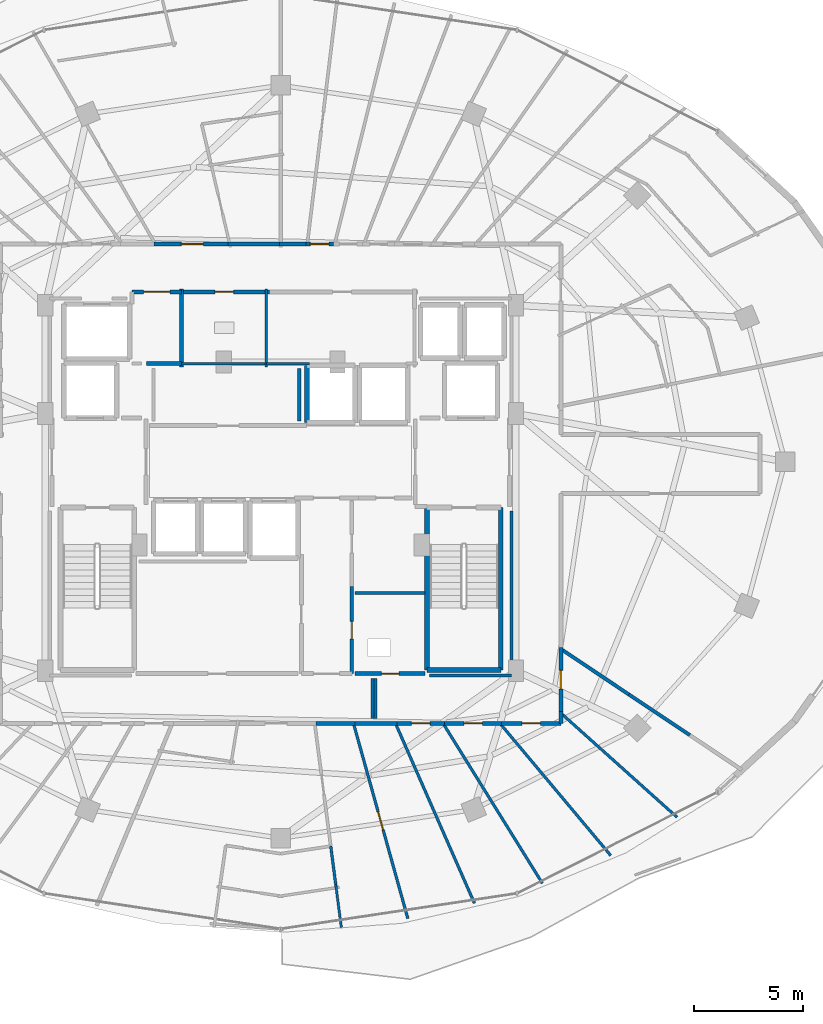
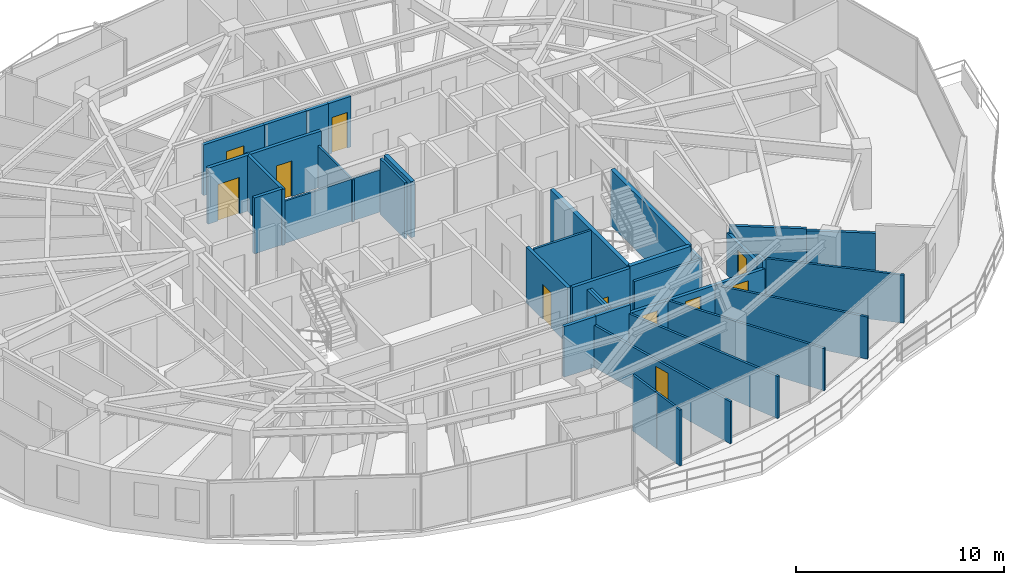
# One storey, part 27 of 34: 39 walls, 11 doors, 11 openings.
"""IFC4 building model written with IfcOpenShell, lengths in metres."""

from ifc_helpers import new_model, si_unit, direction, frame, frame_2d, origin, place, context, subcontext, project, spatial, rectangle, extrude, material, layer, layer_set, type_object, element, fill, save


model = new_model("IFC4")

# Units and contexts
model_context = context("Model", 3, precision=1e-05, world=origin(), true_north=direction((0.0, 1.0)))
body_context = subcontext(model_context, "Body", "Model", "MODEL_VIEW")
ifc_project = project(units=[si_unit("LENGTHUNIT", "METRE"), si_unit("AREAUNIT", "SQUARE_METRE"), si_unit("VOLUMEUNIT", "CUBIC_METRE"), si_unit("PLANEANGLEUNIT", "RADIAN"), si_unit("MASSUNIT", "GRAM", prefix="KILO")], contexts=[model_context])

# Site, building, storey
site_placement = place(None, origin())
site = spatial("IfcSite", under=ifc_project, at=site_placement, CompositionType="ELEMENT")
building_placement = place(site_placement, origin())
building = spatial("IfcBuilding", under=site, at=building_placement, Name="Vorneva Point Tower", CompositionType="ELEMENT")
storey_placement = place(building_placement, frame((0.0, 0.0, 210.75)))
storey = spatial("IfcBuildingStorey", under=building, at=storey_placement, Name="L57", CompositionType="ELEMENT", Elevation=210.75)

# Walls
ifc_material_1 = material(Name="Fire-rated acoustic gypsum stud partition", Category="gypsum")
ifc_layer_1 = layer(ifc_material_1, 0.110107421875)
ifc_layer_set_1 = layer_set([ifc_layer_1], Name="Fire-rated acoustic gypsum stud partition")
wall_type_1 = type_object("IfcWallType", Name="WL-PART-110", PredefinedType="PARTITIONING", material=ifc_layer_set_1)
wall_1_placement = place(storey_placement, frame((37.35009765625, 30.340087890625, 0.0), z_axis=(0.0, 0.0, 1.0), x_axis=(0.0, 1.0, 0.0)))
element("IfcWall", 1, at=wall_1_placement, inside=storey, type_object=wall_type_1, Name="L57 Interior Partition 019", PredefinedType="PARTITIONING", context=body_context, shape_type="SweptSolid", body=[
    extrude(rectangle(XDim=3.559814453125, YDim=0.110107421875, at=frame_2d((1.77978515625, 0.0))), origin(), (0.0, 0.0, 1.0), 2.48193359375),
])
wall_2_placement = place(storey_placement, frame((33.360107421875, 30.47998046875, 0.0), z_axis=(0.0, 0.0, 1.0), x_axis=(1.0, 0.0, 0.0)))
element("IfcWall", 2, at=wall_2_placement, inside=storey, type_object=wall_type_1, Name="L57 Interior Partition 020", PredefinedType="PARTITIONING", context=body_context, shape_type="SweptSolid", body=[
    extrude(rectangle(XDim=4.114990234375, YDim=0.110107421875, at=frame_2d((2.0576171875, 0.0))), origin(), (0.0, 0.0, 1.0), 2.48193359375),
])
wall_3_placement = place(storey_placement, frame((37.364990234375, 30.47998046875, 0.0), z_axis=(0.0, 0.0, 1.0), x_axis=(1.0, 0.0, 0.0)))
element("IfcWall", 3, at=wall_3_placement, inside=storey, type_object=wall_type_1, Name="L57 Interior Partition 022", PredefinedType="PARTITIONING", context=body_context, shape_type="SweptSolid", body=[
    extrude(rectangle(XDim=1.955078125, YDim=0.110107421875, at=frame_2d((0.9775390625, 0.0))), origin(), (0.0, 0.0, 1.0), 2.48193359375),
])
wall_4_placement = place(storey_placement, frame((40.774169921875, 4.71728515625, 0.0), z_axis=(0.0, 0.0, 1.0), x_axis=(-0.129233545587, 0.991614184396, 0.0)))
element("IfcWall", 4, at=wall_4_placement, inside=storey, type_object=wall_type_1, Name="L57 Interior Partition 155", PredefinedType="PARTITIONING", context=body_context, shape_type="SweptSolid", body=[
    extrude(rectangle(XDim=1.97607421875, YDim=0.110107421875, at=frame_2d((0.988037109375, 0.0))), origin(), (0.0, 0.0, 1.0), 3.2900390625),
])
ifc_layer_2 = layer(ifc_material_1, 0.125)
ifc_layer_set_2 = layer_set([ifc_layer_2], Name="Fire-rated acoustic gypsum stud partition")
wall_type_2 = type_object("IfcWallType", Name="WL-PART-125", PredefinedType="PARTITIONING", material=ifc_layer_set_2)
wall_5_placement = place(storey_placement, frame((44.60009765625, 20.0, 0.0), z_axis=(0.0, 0.0, 1.0), x_axis=(-1.0, 0.0, 0.0)))
element("IfcWall", 5, at=wall_5_placement, inside=storey, type_object=wall_type_2, Name="L57 Interior Partition 017", PredefinedType="PARTITIONING", context=body_context, shape_type="SweptSolid", body=[
    extrude(rectangle(XDim=3.2001953125, YDim=0.125, at=frame_2d((1.60009765625, 0.0))), origin(), (0.0, 0.0, 1.0), 3.2900390625),
])
wall_6_placement = place(storey_placement, frame((40.2890625, 8.43603515625, 0.0), z_axis=(0.0, 0.0, 1.0), x_axis=(0.12959001093, -0.991567662375, 0.0)))
element("IfcWall", 6, at=wall_6_placement, inside=storey, type_object=wall_type_2, Name="L57 Interior Partition 151", PredefinedType="PARTITIONING", context=body_context, shape_type="SweptSolid", body=[
    extrude(rectangle(XDim=1.9140625, YDim=0.125, at=frame_2d((0.95703125, 0.0))), origin(), (0.0, 0.0, 1.0), 3.2900390625),
])

# Wall, opening, door
wall_7_placement = place(storey_placement, frame((43.81201171875, 5.131103515625, 0.0), z_axis=(0.0, 0.0, 1.0), x_axis=(-0.268310216589, 0.963332563383, 0.0)))
wall_7 = element("IfcWall", 7, at=wall_7_placement, inside=storey, type_object=wall_type_2, Name="L57 Interior Partition 156", PredefinedType="PARTITIONING", context=body_context, shape_type="SweptSolid", body=[
    extrude(rectangle(XDim=9.258544921875, YDim=0.125, at=frame_2d((4.62939453125, 0.0))), origin(), (0.0, 0.0, 1.0), 2.48193359375),
])
opening_1_placement = place(wall_7_placement, frame((4.2041015625, 0.0, 0.0)))
opening_1 = element("IfcOpeningElement", 8, at=opening_1_placement, cuts=wall_7, Name="Opening ID-02", PredefinedType="OPENING", context=body_context, shape_type="SweptSolid", body=[
    extrude(rectangle(XDim=0.85009765625, YDim=2.10009765625, at=frame_2d((0.425048828125, 1.050048828125))), frame((0.0, 0.077392578125, 0.0), z_axis=(0.0, -1.0, 0.0), x_axis=(1.0, 0.0, 0.0)), (0.0, 0.0, 1.0), 0.15478515625),
])
ifc_material_2 = material(Name="Engineered oak fire-rated door leaf", Category="wood")
door_type_1 = type_object("IfcDoorType", Name="DR-BATH-850", OperationType="NOTDEFINED", PredefinedType="DOOR", material=ifc_material_2)
door_1_placement = place(opening_1_placement, origin())
door_1 = element("IfcDoor", 9, at=door_1_placement, inside=storey, type_object=door_type_1, Name="L57 Access Door Master Bedroom L57-04.1", OperationType="SINGLE_SWING_RIGHT", OverallHeight=2.10009765625, OverallWidth=0.85009765625, PredefinedType="DOOR", context=body_context, shape_type="SweptSolid", body=[
    extrude(rectangle(XDim=0.85009765625, YDim=2.10009765625, at=frame_2d((0.425048828125, 1.050048828125))), frame((0.0, 0.02490234375, 0.0), z_axis=(0.0, -1.0, 0.0), x_axis=(1.0, 0.0, 0.0)), (0.0, 0.0, 1.0), 0.050048828125),
])
fill(opening_1, door_1)

# Walls
wall_8_placement = place(storey_placement, frame((46.85400390625, 5.8291015625, 0.0), z_axis=(0.0, 0.0, 1.0), x_axis=(-0.401869944724, 0.915696755224, 0.0)))
element("IfcWall", 10, at=wall_8_placement, inside=storey, type_object=wall_type_2, Name="L57 Interior Partition 157", PredefinedType="PARTITIONING", context=body_context, shape_type="SweptSolid", body=[
    extrude(rectangle(XDim=8.977783203125, YDim=0.125, at=frame_2d((4.48876953125, 0.0))), origin(), (0.0, 0.0, 1.0), 2.48193359375),
])
wall_9_placement = place(storey_placement, frame((49.95703125, 6.742919921875, 0.0), z_axis=(0.0, 0.0, 1.0), x_axis=(-0.527501342892, 0.849554196769, 0.0)))
element("IfcWall", 11, at=wall_9_placement, inside=storey, type_object=wall_type_2, Name="L57 Interior Partition 158", PredefinedType="PARTITIONING", context=body_context, shape_type="SweptSolid", body=[
    extrude(rectangle(XDim=8.60107421875, YDim=0.125, at=frame_2d((4.300537109375, 0.0))), origin(), (0.0, 0.0, 1.0), 2.48193359375),
])
wall_10_placement = place(storey_placement, frame((53.0830078125, 8.009033203125, 0.0), z_axis=(0.0, 0.0, 1.0), x_axis=(-0.642484403916, 0.766298760749, 0.0)))
element("IfcWall", 12, at=wall_10_placement, inside=storey, type_object=wall_type_2, Name="L57 Interior Partition 159", PredefinedType="PARTITIONING", context=body_context, shape_type="SweptSolid", body=[
    extrude(rectangle(XDim=7.88330078125, YDim=0.125, at=frame_2d((3.941650390625, 0.0))), origin(), (0.0, 0.0, 1.0), 2.48193359375),
])
wall_11_placement = place(storey_placement, frame((56.111083984375, 9.757080078125, 0.0), z_axis=(0.0, 0.0, 1.0), x_axis=(-0.744477346253, 0.667647722168, 0.0)))
element("IfcWall", 13, at=wall_11_placement, inside=storey, type_object=wall_type_2, Name="L57 Interior Partition 160", PredefinedType="PARTITIONING", context=body_context, shape_type="SweptSolid", body=[
    extrude(rectangle(XDim=7.1337890625, YDim=0.125, at=frame_2d((3.56689453125, 0.0))), origin(), (0.0, 0.0, 1.0), 2.823974609375),
])
ifc_layer_3 = layer(ifc_material_1, 0.139892578125)
ifc_layer_set_3 = layer_set([ifc_layer_3], Name="Fire-rated acoustic gypsum stud partition")
wall_type_3 = type_object("IfcWallType", Name="WL-PART-140", PredefinedType="PARTITIONING", material=ifc_layer_set_3)
wall_12_placement = place(storey_placement, frame((38.85009765625, 27.8701171875, 0.0), z_axis=(0.0, 0.0, 1.0), x_axis=(0.0, 1.0, 0.0)))
element("IfcWall", 14, at=wall_12_placement, inside=storey, type_object=wall_type_3, Name="L57 Interior Closure Partition 171", PredefinedType="PARTITIONING", context=body_context, shape_type="SweptSolid", body=[
    extrude(rectangle(XDim=2.389892578125, YDim=0.139892578125, at=frame_2d((1.19482421875, 0.0))), origin(), (0.0, 0.0, 1.0), 3.2900390625),
])
wall_13_placement = place(storey_placement, frame((44.804931640625, 16.239990234375, 0.0), z_axis=(0.0, 0.0, 1.0), x_axis=(1.0, 0.0, 0.0)))
element("IfcWall", 15, at=wall_13_placement, inside=storey, type_object=wall_type_3, Name="L57 Interior Closure Partition 172", PredefinedType="PARTITIONING", context=body_context, shape_type="SweptSolid", body=[
    extrude(rectangle(XDim=3.7451171875, YDim=0.139892578125, at=frame_2d((1.87255859375, 0.0))), origin(), (0.0, 0.0, 1.0), 2.48193359375),
])
wall_14_placement = place(storey_placement, frame((48.550048828125, 16.239990234375, 0.0), z_axis=(0.0, 0.0, 1.0), x_axis=(0.0, 1.0, 0.0)))
element("IfcWall", 16, at=wall_14_placement, inside=storey, type_object=wall_type_3, Name="L57 Interior Closure Partition 173", PredefinedType="PARTITIONING", context=body_context, shape_type="SweptSolid", body=[
    extrude(rectangle(XDim=7.513916015625, YDim=0.139892578125, at=frame_2d((3.7568359375, 0.0))), origin(), (0.0, 0.0, 1.0), 2.48193359375),
])
for number, where, z_axis, x_axis, name in (
    (17, (42.199951171875, 16.10009765625, 0.0), (0.0, 0.0, 1.0), (0.0, -1.0, 0.0), "L57 Interior Closure Partition 181"),
    (18, (42.340087890625, 14.27001953125, 0.0), (0.0, 0.0, 1.0), (0.0, 1.0, 0.0), "L57 Interior Closure Partition 182"),
):
    element("IfcWall", number, at=place(storey_placement, frame(where, z_axis=z_axis, x_axis=x_axis)), inside=storey, type_object=wall_type_3, Name=name, PredefinedType="PARTITIONING", context=body_context, shape_type="SweptSolid", body=[
        extrude(rectangle(XDim=1.830078125, YDim=0.139892578125, at=frame_2d((0.9150390625, 0.0))), origin(), (0.0, 0.0, 1.0), 2.97900390625),
    ])
ifc_layer_4 = layer(ifc_material_1, 0.159912109375)
ifc_layer_set_4 = layer_set([ifc_layer_4], Name="Fire-rated acoustic gypsum stud partition")
wall_type_4 = type_object("IfcWallType", Name="WL-PART-160", PredefinedType="PARTITIONING", material=ifc_layer_set_4)
wall_15_placement = place(storey_placement, frame((56.695068359375, 13.508056640625, 0.0), z_axis=(0.0, 0.0, 1.0), x_axis=(-0.831533913479, 0.55547398745, 0.0)))
element("IfcWall", 19, at=wall_15_placement, inside=storey, type_object=wall_type_4, Name="L57 Interior Partition 161", PredefinedType="PARTITIONING", context=body_context, shape_type="SweptSolid", body=[
    extrude(rectangle(XDim=3.34814453125, YDim=0.159912109375, at=frame_2d((1.674072265625, 0.0))), origin(), (0.0, 0.0, 1.0), 2.823974609375),
])
wall_16_placement = place(storey_placement, frame((53.910888671875, 15.367919921875, 0.0), z_axis=(0.0, 0.0, 1.0), x_axis=(-0.83140728108, 0.55566350696, 0.0)))
element("IfcWall", 20, at=wall_16_placement, inside=storey, type_object=wall_type_4, Name="L57 Interior Partition 162", PredefinedType="PARTITIONING", context=body_context, shape_type="SweptSolid", body=[
    extrude(rectangle(XDim=3.74169921875, YDim=0.159912109375, at=frame_2d((1.870849609375, 0.0))), origin(), (0.0, 0.0, 1.0), 2.93603515625),
])
ifc_material_3 = material(Name="Autoclaved aerated concrete blockwork", Category="masonry")
ifc_layer_5 = layer(ifc_material_3, 0.179931640625)
ifc_layer_set_5 = layer_set([ifc_layer_5], Name="Autoclaved aerated concrete blockwork")
wall_type_5 = type_object("IfcWallType", Name="WL-PART-180", PredefinedType="PARTITIONING", material=ifc_layer_set_5)
wall_17_placement = place(storey_placement, frame((33.469970703125, 30.340087890625, 0.0), z_axis=(0.0, 0.0, 1.0), x_axis=(0.0, 1.0, 0.0)))
element("IfcWall", 21, at=wall_17_placement, inside=storey, type_object=wall_type_5, Name="L57 Interior Partition 006", PredefinedType="PARTITIONING", context=body_context, shape_type="SweptSolid", body=[
    extrude(rectangle(XDim=3.559814453125, YDim=0.179931640625, at=frame_2d((1.77978515625, 0.0))), origin(), (0.0, 0.0, 1.0), 3.2900390625),
])
wall_18_placement = place(storey_placement, frame((31.8701171875, 30.47998046875, 0.0), z_axis=(0.0, 0.0, 1.0), x_axis=(1.0, 0.0, 0.0)))
element("IfcWall", 22, at=wall_18_placement, inside=storey, type_object=wall_type_5, Name="L57 Interior Partition 007", PredefinedType="PARTITIONING", context=body_context, shape_type="SweptSolid", body=[
    extrude(rectangle(XDim=1.599853515625, YDim=0.179931640625, at=frame_2d((0.7998046875, 0.0))), origin(), (0.0, 0.0, 1.0), 3.2900390625),
])

# Wall, opening, door
wall_19_placement = place(storey_placement, frame((33.469970703125, 33.760009765625, 0.0), z_axis=(0.0, 0.0, 1.0), x_axis=(-1.0, 0.0, 0.0)))
wall_19 = element("IfcWall", 23, at=wall_19_placement, inside=storey, type_object=wall_type_5, Name="L57 Interior Partition 008", PredefinedType="PARTITIONING", context=body_context, shape_type="SweptSolid", body=[
    extrude(rectangle(XDim=2.27001953125, YDim=0.179931640625, at=frame_2d((1.135009765625, 0.0))), origin(), (0.0, 0.0, 1.0), 3.2900390625),
])
opening_2_placement = place(wall_19_placement, frame((0.534912109375, 0.0, 0.0)))
opening_2 = element("IfcOpeningElement", 24, at=opening_2_placement, cuts=wall_19, Name="Opening FD-02", PredefinedType="OPENING", context=body_context, shape_type="SweptSolid", body=[
    extrude(rectangle(XDim=1.199951171875, YDim=2.14990234375, at=frame_2d((0.60009765625, 1.074951171875))), frame((0.0, 0.10498046875, 0.0), z_axis=(0.0, -1.0, 0.0), x_axis=(1.0, 0.0, 0.0)), (0.0, 0.0, 1.0), 0.209716796875),
])
ifc_material_4 = material(Name="Fire-rated powder-coated steel", Category="steel")
door_type_2 = type_object("IfcDoorType", Name="DR-FFL-1200", OperationType="NOTDEFINED", PredefinedType="DOOR", material=ifc_material_4)
door_2_placement = place(opening_2_placement, origin())
door_2 = element("IfcDoor", 25, at=door_2_placement, inside=storey, type_object=door_type_2, Name="L57 Door Service Lift Lobby / L57 Circulation Corridor", OperationType="SINGLE_SWING_LEFT", OverallHeight=2.14990234375, OverallWidth=1.199951171875, PredefinedType="DOOR", context=body_context, shape_type="SweptSolid", body=[
    extrude(rectangle(XDim=1.199951171875, YDim=2.14990234375, at=frame_2d((0.60009765625, 1.074951171875))), frame((0.0, 0.02490234375, 0.0), z_axis=(0.0, -1.0, 0.0), x_axis=(1.0, 0.0, 0.0)), (0.0, 0.0, 1.0), 0.050048828125),
])
fill(opening_2, door_2)

wall_20_placement = place(storey_placement, frame((41.25, 16.320068359375, 0.0), z_axis=(0.0, 0.0, 1.0), x_axis=(0.0, 1.0, 0.0)))
wall_20 = element("IfcWall", 26, at=wall_20_placement, inside=storey, type_object=wall_type_5, Name="L57 Interior Partition 013", PredefinedType="PARTITIONING", context=body_context, shape_type="SweptSolid", body=[
    extrude(rectangle(XDim=3.98486328125, YDim=0.179931640625, at=frame_2d((1.992431640625, 0.0))), origin(), (0.0, 0.0, 1.0), 3.2900390625),
])
opening_3_placement = place(wall_20_placement, frame((1.592529296875, 0.0, 0.0)))
opening_3 = element("IfcOpeningElement", 27, at=opening_3_placement, cuts=wall_20, Name="Opening RD-01", PredefinedType="OPENING", context=body_context, shape_type="SweptSolid", body=[
    extrude(rectangle(XDim=0.800048828125, YDim=2.050048828125, at=frame_2d((0.39990234375, 1.02490234375))), frame((0.0, 0.10498046875, 0.0), z_axis=(0.0, -1.0, 0.0), x_axis=(1.0, 0.0, 0.0)), (0.0, 0.0, 1.0), 0.209716796875),
])
door_type_3 = type_object("IfcDoorType", Name="DR-RSR-800", OperationType="SINGLE_SWING_LEFT", PredefinedType="DOOR", material=ifc_material_4)
door_3_placement = place(opening_3_placement, origin())
door_3 = element("IfcDoor", 28, at=door_3_placement, inside=storey, type_object=door_type_3, Name="L57 Door Core Service Lobby / Electrical Riser", OperationType="SINGLE_SWING_LEFT", OverallHeight=2.050048828125, OverallWidth=0.800048828125, PredefinedType="DOOR", context=body_context, shape_type="SweptSolid", body=[
    extrude(rectangle(XDim=0.800048828125, YDim=2.050048828125, at=frame_2d((0.39990234375, 1.02490234375))), frame((0.0, 0.02490234375, 0.0), z_axis=(0.0, -1.0, 0.0), x_axis=(1.0, 0.0, 0.0)), (0.0, 0.0, 1.0), 0.050048828125),
])
fill(opening_3, door_3)

wall_21_placement = place(storey_placement, frame((41.39990234375, 16.320068359375, 0.0), z_axis=(0.0, 0.0, 1.0), x_axis=(1.0, 0.0, 0.0)))
wall_21 = element("IfcWall", 29, at=wall_21_placement, inside=storey, type_object=wall_type_5, Name="L57 Interior Partition 018", PredefinedType="PARTITIONING", context=body_context, shape_type="SweptSolid", body=[
    extrude(rectangle(XDim=3.2001953125, YDim=0.179931640625, at=frame_2d((1.60009765625, 0.0))), origin(), (0.0, 0.0, 1.0), 3.2900390625),
])
opening_4_placement = place(wall_21_placement, frame((1.199951171875, 0.0, 0.0)))
opening_4 = element("IfcOpeningElement", 30, at=opening_4_placement, cuts=wall_21, Name="Opening RD-01", PredefinedType="OPENING", context=body_context, shape_type="SweptSolid", body=[
    extrude(rectangle(XDim=0.800048828125, YDim=2.050048828125, at=frame_2d((0.39990234375, 1.02490234375))), frame((0.0, 0.10498046875, 0.0), z_axis=(0.0, -1.0, 0.0), x_axis=(1.0, 0.0, 0.0)), (0.0, 0.0, 1.0), 0.209716796875),
])
door_4_placement = place(opening_4_placement, origin())
door_4 = element("IfcDoor", 31, at=door_4_placement, inside=storey, type_object=door_type_3, Name="L57 Door Electrical Riser / L57 Circulation Corridor", OperationType="SINGLE_SWING_LEFT", OverallHeight=2.050048828125, OverallWidth=0.800048828125, PredefinedType="DOOR", context=body_context, shape_type="SweptSolid", body=[
    extrude(rectangle(XDim=0.800048828125, YDim=2.050048828125, at=frame_2d((0.39990234375, 1.02490234375))), frame((0.0, 0.02490234375, 0.0), z_axis=(0.0, -1.0, 0.0), x_axis=(1.0, 0.0, 0.0)), (0.0, 0.0, 1.0), 0.050048828125),
])
fill(opening_4, door_4)

wall_22_placement = place(storey_placement, frame((37.489990234375, 33.760009765625, 0.0), z_axis=(0.0, 0.0, 1.0), x_axis=(-1.0, 0.0, 0.0)))
wall_22 = element("IfcWall", 32, at=wall_22_placement, inside=storey, type_object=wall_type_5, Name="L57 Interior Partition 021", PredefinedType="PARTITIONING", context=body_context, shape_type="SweptSolid", body=[
    extrude(rectangle(XDim=4.1298828125, YDim=0.179931640625, at=frame_2d((2.06494140625, 0.0))), origin(), (0.0, 0.0, 1.0), 3.2900390625),
])
opening_5_placement = place(wall_22_placement, frame((1.639892578125, 0.0, 0.0)))
opening_5 = element("IfcOpeningElement", 33, at=opening_5_placement, cuts=wall_22, Name="Opening ID-02", PredefinedType="OPENING", context=body_context, shape_type="SweptSolid", body=[
    extrude(rectangle(XDim=0.85009765625, YDim=2.10009765625, at=frame_2d((0.425048828125, 1.050048828125))), frame((0.0, 0.10498046875, 0.0), z_axis=(0.0, -1.0, 0.0), x_axis=(1.0, 0.0, 0.0)), (0.0, 0.0, 1.0), 0.209716796875),
])
door_5_placement = place(opening_5_placement, origin())
door_5 = element("IfcDoor", 34, at=door_5_placement, inside=storey, type_object=door_type_1, Name="L57 Door Accessible WC / L57 Circulation Corridor", OperationType="SINGLE_SWING_RIGHT", OverallHeight=2.10009765625, OverallWidth=0.85009765625, PredefinedType="DOOR", context=body_context, shape_type="SweptSolid", body=[
    extrude(rectangle(XDim=0.85009765625, YDim=2.10009765625, at=frame_2d((0.425048828125, 1.050048828125))), frame((0.0, 0.02490234375, 0.0), z_axis=(0.0, -1.0, 0.0), x_axis=(1.0, 0.0, 0.0)), (0.0, 0.0, 1.0), 0.050048828125),
])
fill(opening_5, door_5)

wall_23_placement = place(storey_placement, frame((40.412109375, 35.949951171875, 0.0), z_axis=(0.0, 0.0, 1.0), x_axis=(-1.0, 0.0, 0.0)))
wall_23 = element("IfcWall", 35, at=wall_23_placement, inside=storey, type_object=wall_type_5, Name="L57 Interior Partition 034", PredefinedType="PARTITIONING", context=body_context, shape_type="SweptSolid", body=[
    extrude(rectangle(XDim=1.255126953125, YDim=0.179931640625, at=frame_2d((0.62744140625, 0.0))), origin(), (0.0, 0.0, 1.0), 2.97900390625),
])
opening_6_placement = place(wall_23_placement, frame((0.202392578125, 0.0, 0.0)))
opening_6 = element("IfcOpeningElement", 36, at=opening_6_placement, cuts=wall_23, Name="Opening ID-02", PredefinedType="OPENING", context=body_context, shape_type="SweptSolid", body=[
    extrude(rectangle(XDim=0.85009765625, YDim=2.10009765625, at=frame_2d((0.425048828125, 1.050048828125))), frame((0.0, 0.10498046875, 0.0), z_axis=(0.0, -1.0, 0.0), x_axis=(1.0, 0.0, 0.0)), (0.0, 0.0, 1.0), 0.209716796875),
])
door_6_placement = place(opening_6_placement, origin())
door_6 = element("IfcDoor", 37, at=door_6_placement, inside=storey, type_object=door_type_1, Name="L57 Access Door L57 Circulation Corridor", OperationType="SINGLE_SWING_RIGHT", OverallHeight=2.10009765625, OverallWidth=0.85009765625, PredefinedType="DOOR", context=body_context, shape_type="SweptSolid", body=[
    extrude(rectangle(XDim=0.85009765625, YDim=2.10009765625, at=frame_2d((0.425048828125, 1.050048828125))), frame((0.0, 0.02490234375, 0.0), z_axis=(0.0, -1.0, 0.0), x_axis=(1.0, 0.0, 0.0)), (0.0, 0.0, 1.0), 0.050048828125),
])
fill(opening_6, door_6)

# Wall
wall_24_placement = place(storey_placement, frame((39.156982421875, 35.949951171875, 0.0), z_axis=(0.0, 0.0, 1.0), x_axis=(-1.0, 0.0, 0.0)))
element("IfcWall", 38, at=wall_24_placement, inside=storey, type_object=wall_type_5, Name="L57 Interior Partition 035", PredefinedType="PARTITIONING", context=body_context, shape_type="SweptSolid", body=[
    extrude(rectangle(XDim=1.217041015625, YDim=0.179931640625, at=frame_2d((0.6083984375, 0.0))), origin(), (0.0, 0.0, 1.0), 2.97900390625),
])

# Wall, opening, door
wall_25_placement = place(storey_placement, frame((35.73193359375, 35.949951171875, 0.0), z_axis=(0.0, 0.0, 1.0), x_axis=(-1.0, 0.0, 0.0)))
wall_25 = element("IfcWall", 39, at=wall_25_placement, inside=storey, type_object=wall_type_5, Name="L57 Interior Partition 036", PredefinedType="PARTITIONING", context=body_context, shape_type="SweptSolid", body=[
    extrude(rectangle(XDim=3.52783203125, YDim=0.179931640625, at=frame_2d((1.763916015625, 0.0))), origin(), (0.0, 0.0, 1.0), 2.97900390625),
])
opening_7_placement = place(wall_25_placement, frame((1.263916015625, 0.0, 0.0)))
opening_7 = element("IfcOpeningElement", 40, at=opening_7_placement, cuts=wall_25, Name="Opening UD-01", PredefinedType="OPENING", context=body_context, shape_type="SweptSolid", body=[
    extrude(rectangle(XDim=1.0, YDim=2.14990234375, at=frame_2d((0.5, 1.074951171875))), frame((0.0, 0.10498046875, 0.0), z_axis=(0.0, -1.0, 0.0), x_axis=(1.0, 0.0, 0.0)), (0.0, 0.0, 1.0), 0.209716796875),
])
door_type_4 = type_object("IfcDoorType", Name="DR-UNIT-1000", OperationType="NOTDEFINED", PredefinedType="DOOR", material=ifc_material_2)
door_7_placement = place(opening_7_placement, origin())
door_7 = element("IfcDoor", 41, at=door_7_placement, inside=storey, type_object=door_type_4, Name="L57 Door L57 Circulation Corridor / Living and Dining Room L57-02", OperationType="SINGLE_SWING_RIGHT", OverallHeight=2.14990234375, OverallWidth=1.0, PredefinedType="DOOR", context=body_context, shape_type="SweptSolid", body=[
    extrude(rectangle(XDim=1.0, YDim=2.14990234375, at=frame_2d((0.5, 1.074951171875))), frame((0.0, 0.02490234375, 0.0), z_axis=(0.0, -1.0, 0.0), x_axis=(1.0, 0.0, 0.0)), (0.0, 0.0, 1.0), 0.050048828125),
])
fill(opening_7, door_7)

# Walls
wall_26_placement = place(storey_placement, frame((38.080078125, 35.949951171875, 0.0), z_axis=(0.0, 0.0, 1.0), x_axis=(-1.0, 0.0, 0.0)))
element("IfcWall", 42, at=wall_26_placement, inside=storey, type_object=wall_type_5, Name="L57 Interior Partition 037", PredefinedType="PARTITIONING", context=body_context, shape_type="SweptSolid", body=[
    extrude(rectangle(XDim=2.488037109375, YDim=0.179931640625, at=frame_2d((1.244140625, 0.0))), origin(), (0.0, 0.0, 1.0), 2.97900390625),
])
wall_27_placement = place(storey_placement, frame((39.617919921875, 14.050048828125, 0.0), z_axis=(0.0, 0.0, 1.0), x_axis=(1.0, 0.0, 0.0)))
element("IfcWall", 43, at=wall_27_placement, inside=storey, type_object=wall_type_5, Name="L57 Interior Partition 064", PredefinedType="PARTITIONING", context=body_context, shape_type="SweptSolid", body=[
    extrude(rectangle(XDim=1.77197265625, YDim=0.179931640625, at=frame_2d((0.885986328125, 0.0))), origin(), (0.0, 0.0, 1.0), 2.97900390625),
])
wall_28_placement = place(storey_placement, frame((41.389892578125, 14.050048828125, 0.0), z_axis=(0.0, 0.0, 1.0), x_axis=(1.0, 0.0, 0.0)))
element("IfcWall", 44, at=wall_28_placement, inside=storey, type_object=wall_type_5, Name="L57 Interior Partition 065", PredefinedType="PARTITIONING", context=body_context, shape_type="SweptSolid", body=[
    extrude(rectangle(XDim=1.922119140625, YDim=0.179931640625, at=frame_2d((0.9609375, 0.0))), origin(), (0.0, 0.0, 1.0), 2.97900390625),
])

# Wall, opening, door
wall_29_placement = place(storey_placement, frame((43.31201171875, 14.050048828125, 0.0), z_axis=(0.0, 0.0, 1.0), x_axis=(1.0, 0.0, 0.0)))
wall_29 = element("IfcWall", 45, at=wall_29_placement, inside=storey, type_object=wall_type_5, Name="L57 Interior Partition 066", PredefinedType="PARTITIONING", context=body_context, shape_type="SweptSolid", body=[
    extrude(rectangle(XDim=2.178955078125, YDim=0.179931640625, at=frame_2d((1.08935546875, 0.0))), origin(), (0.0, 0.0, 1.0), 2.48193359375),
])
opening_8_placement = place(wall_29_placement, frame((0.66455078125, 0.0, 0.0)))
opening_8 = element("IfcOpeningElement", 46, at=opening_8_placement, cuts=wall_29, Name="Opening ID-02", PredefinedType="OPENING", context=body_context, shape_type="SweptSolid", body=[
    extrude(rectangle(XDim=0.85009765625, YDim=2.10009765625, at=frame_2d((0.425048828125, 1.050048828125))), frame((0.0, 0.10498046875, 0.0), z_axis=(0.0, -1.0, 0.0), x_axis=(1.0, 0.0, 0.0)), (0.0, 0.0, 1.0), 0.209716796875),
])
door_8_placement = place(opening_8_placement, origin())
door_8 = element("IfcDoor", 47, at=door_8_placement, inside=storey, type_object=door_type_1, Name="L57 Access Door L57 Circulation Corridor", OperationType="SINGLE_SWING_RIGHT", OverallHeight=2.10009765625, OverallWidth=0.85009765625, PredefinedType="DOOR", context=body_context, shape_type="SweptSolid", body=[
    extrude(rectangle(XDim=0.85009765625, YDim=2.10009765625, at=frame_2d((0.425048828125, 1.050048828125))), frame((0.0, 0.02490234375, 0.0), z_axis=(0.0, -1.0, 0.0), x_axis=(1.0, 0.0, 0.0)), (0.0, 0.0, 1.0), 0.050048828125),
])
fill(opening_8, door_8)

wall_30_placement = place(storey_placement, frame((45.490966796875, 14.050048828125, 0.0), z_axis=(0.0, 0.0, 1.0), x_axis=(1.0, 0.0, 0.0)))
wall_30 = element("IfcWall", 48, at=wall_30_placement, inside=storey, type_object=wall_type_5, Name="L57 Interior Partition 067", PredefinedType="PARTITIONING", context=body_context, shape_type="SweptSolid", body=[
    extrude(rectangle(XDim=2.60498046875, YDim=0.179931640625, at=frame_2d((1.302490234375, 0.0))), origin(), (0.0, 0.0, 1.0), 2.48193359375),
])
opening_9_placement = place(wall_30_placement, frame((0.87744140625, 0.0, 0.0)))
opening_9 = element("IfcOpeningElement", 49, at=opening_9_placement, cuts=wall_30, Name="Opening ID-02", PredefinedType="OPENING", context=body_context, shape_type="SweptSolid", body=[
    extrude(rectangle(XDim=0.85009765625, YDim=2.10009765625, at=frame_2d((0.425048828125, 1.050048828125))), frame((0.0, 0.10498046875, 0.0), z_axis=(0.0, -1.0, 0.0), x_axis=(1.0, 0.0, 0.0)), (0.0, 0.0, 1.0), 0.209716796875),
])
door_9_placement = place(opening_9_placement, origin())
door_9 = element("IfcDoor", 50, at=door_9_placement, inside=storey, type_object=door_type_1, Name="L57 Access Door L57 Circulation Corridor", OperationType="SINGLE_SWING_LEFT", OverallHeight=2.10009765625, OverallWidth=0.85009765625, PredefinedType="DOOR", context=body_context, shape_type="SweptSolid", body=[
    extrude(rectangle(XDim=0.85009765625, YDim=2.10009765625, at=frame_2d((0.425048828125, 1.050048828125))), frame((0.0, 0.02490234375, 0.0), z_axis=(0.0, -1.0, 0.0), x_axis=(1.0, 0.0, 0.0)), (0.0, 0.0, 1.0), 0.050048828125),
])
fill(opening_9, door_9)

wall_31_placement = place(storey_placement, frame((48.095947265625, 14.050048828125, 0.0), z_axis=(0.0, 0.0, 1.0), x_axis=(1.0, 0.0, 0.0)))
wall_31 = element("IfcWall", 51, at=wall_31_placement, inside=storey, type_object=wall_type_5, Name="L57 Interior Partition 068", PredefinedType="PARTITIONING", context=body_context, shape_type="SweptSolid", body=[
    extrude(rectangle(XDim=2.7041015625, YDim=0.179931640625, at=frame_2d((1.35205078125, 0.0))), origin(), (0.0, 0.0, 1.0), 2.48193359375),
])
opening_10_placement = place(wall_31_placement, frame((0.927001953125, 0.0, 0.0)))
opening_10 = element("IfcOpeningElement", 52, at=opening_10_placement, cuts=wall_31, Name="Opening ID-02", PredefinedType="OPENING", context=body_context, shape_type="SweptSolid", body=[
    extrude(rectangle(XDim=0.85009765625, YDim=2.10009765625, at=frame_2d((0.425048828125, 1.050048828125))), frame((0.0, 0.10498046875, 0.0), z_axis=(0.0, -1.0, 0.0), x_axis=(1.0, 0.0, 0.0)), (0.0, 0.0, 1.0), 0.209716796875),
])
door_10_placement = place(opening_10_placement, origin())
door_10 = element("IfcDoor", 53, at=door_10_placement, inside=storey, type_object=door_type_1, Name="L57 Access Door L57 Circulation Corridor", OperationType="SINGLE_SWING_RIGHT", OverallHeight=2.10009765625, OverallWidth=0.85009765625, PredefinedType="DOOR", context=body_context, shape_type="SweptSolid", body=[
    extrude(rectangle(XDim=0.85009765625, YDim=2.10009765625, at=frame_2d((0.425048828125, 1.050048828125))), frame((0.0, 0.02490234375, 0.0), z_axis=(0.0, -1.0, 0.0), x_axis=(1.0, 0.0, 0.0)), (0.0, 0.0, 1.0), 0.050048828125),
])
fill(opening_10, door_10)

# Wall
wall_32_placement = place(storey_placement, frame((50.800048828125, 14.050048828125, 0.0), z_axis=(0.0, 0.0, 1.0), x_axis=(0.0, 1.0, 0.0)))
element("IfcWall", 54, at=wall_32_placement, inside=storey, type_object=wall_type_5, Name="L57 Interior Partition 069", PredefinedType="PARTITIONING", context=body_context, shape_type="SweptSolid", body=[
    extrude(rectangle(XDim=0.530029296875, YDim=0.179931640625, at=frame_2d((0.26513671875, 0.0))), origin(), (0.0, 0.0, 1.0), 2.93603515625),
])

# Wall, opening, door
wall_33_placement = place(storey_placement, frame((50.800048828125, 14.580078125, 0.0), z_axis=(0.0, 0.0, 1.0), x_axis=(0.0, 1.0, 0.0)))
wall_33 = element("IfcWall", 55, at=wall_33_placement, inside=storey, type_object=wall_type_5, Name="L57 Interior Partition 070", PredefinedType="PARTITIONING", context=body_context, shape_type="SweptSolid", body=[
    extrude(rectangle(XDim=2.927001953125, YDim=0.179931640625, at=frame_2d((1.46337890625, 0.0))), origin(), (0.0, 0.0, 1.0), 2.48193359375),
])
opening_11_placement = place(wall_33_placement, frame((1.03857421875, 0.0, 0.0)))
opening_11 = element("IfcOpeningElement", 56, at=opening_11_placement, cuts=wall_33, Name="Opening ID-02", PredefinedType="OPENING", context=body_context, shape_type="SweptSolid", body=[
    extrude(rectangle(XDim=0.85009765625, YDim=2.10009765625, at=frame_2d((0.425048828125, 1.050048828125))), frame((0.0, 0.10498046875, 0.0), z_axis=(0.0, -1.0, 0.0), x_axis=(1.0, 0.0, 0.0)), (0.0, 0.0, 1.0), 0.209716796875),
])
door_11_placement = place(opening_11_placement, origin())
door_11 = element("IfcDoor", 57, at=door_11_placement, inside=storey, type_object=door_type_1, Name="L57 Access Door L57 Circulation Corridor", OperationType="SINGLE_SWING_LEFT", OverallHeight=2.10009765625, OverallWidth=0.85009765625, PredefinedType="DOOR", context=body_context, shape_type="SweptSolid", body=[
    extrude(rectangle(XDim=0.85009765625, YDim=2.10009765625, at=frame_2d((0.425048828125, 1.050048828125))), frame((0.0, 0.02490234375, 0.0), z_axis=(0.0, -1.0, 0.0), x_axis=(1.0, 0.0, 0.0)), (0.0, 0.0, 1.0), 0.050048828125),
])
fill(opening_11, door_11)

# Walls
ifc_material_5 = material(Name="Concrete B50 (C40/50)", Category="concrete")
ifc_layer_6 = layer(ifc_material_5, 0.219970703125)
ifc_layer_set_6 = layer_set([ifc_layer_6], Name="Concrete B50 (C40/50)")
wall_type_6 = type_object("IfcWallType", Name="WL-SHFT-220", PredefinedType="SOLIDWALL", material=ifc_layer_set_6)
wall_34_placement = place(storey_placement, frame((48.06005859375, 23.909912109375, 0.0), z_axis=(0.0, 0.0, 1.0), x_axis=(0.0, -1.0, 0.0)))
element("IfcWall", 58, at=wall_34_placement, inside=storey, type_object=wall_type_6, Name="L57 Exit Stair ST2 Shaft Wall right", PredefinedType="SOLIDWALL", context=body_context, shape_type="SweptSolid", body=[
    extrude(rectangle(XDim=7.419921875, YDim=0.219970703125, at=frame_2d((3.7099609375, 0.0))), origin(), (0.0, 0.0, 1.0), 3.2900390625),
])
wall_35_placement = place(storey_placement, frame((48.06005859375, 16.489990234375, 0.0), z_axis=(0.0, 0.0, 1.0), x_axis=(-1.0, 0.0, 0.0)))
element("IfcWall", 59, at=wall_35_placement, inside=storey, type_object=wall_type_6, Name="L57 Exit Stair ST2 Shaft Wall far", PredefinedType="SOLIDWALL", context=body_context, shape_type="SweptSolid", body=[
    extrude(rectangle(XDim=3.3701171875, YDim=0.219970703125, at=frame_2d((1.68505859375, 0.0))), origin(), (0.0, 0.0, 1.0), 3.2900390625),
])
wall_36_placement = place(storey_placement, frame((44.68994140625, 16.489990234375, 0.0), z_axis=(0.0, 0.0, 1.0), x_axis=(0.0, 1.0, 0.0)))
element("IfcWall", 60, at=wall_36_placement, inside=storey, type_object=wall_type_6, Name="L57 Exit Stair ST2 Shaft Wall left", PredefinedType="SOLIDWALL", context=body_context, shape_type="SweptSolid", body=[
    extrude(rectangle(XDim=7.419921875, YDim=0.219970703125, at=frame_2d((3.7099609375, 0.0))), origin(), (0.0, 0.0, 1.0), 3.2900390625),
])
wall_37_placement = place(storey_placement, frame((39.199951171875, 30.39990234375, 0.0), z_axis=(0.0, 0.0, 1.0), x_axis=(0.0, -1.0, 0.0)))
element("IfcWall", 61, at=wall_37_placement, inside=storey, type_object=wall_type_6, Name="L57 Lift PL7 Shaft Wall -X", PredefinedType="SOLIDWALL", context=body_context, shape_type="SweptSolid", body=[
    extrude(rectangle(XDim=2.599853515625, YDim=0.219970703125, at=frame_2d((1.2998046875, 0.0))), origin(), (0.0, 0.0, 1.0), 3.2900390625),
])

save(model, "model.ifc")
